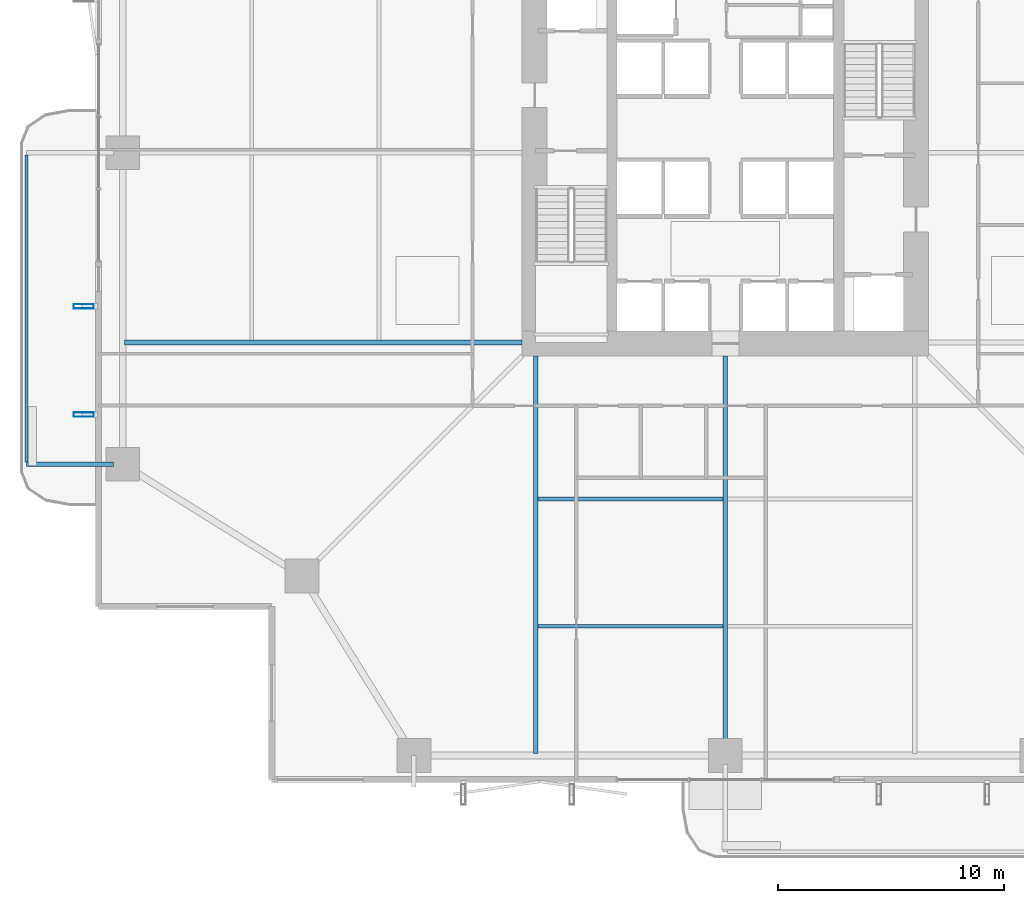
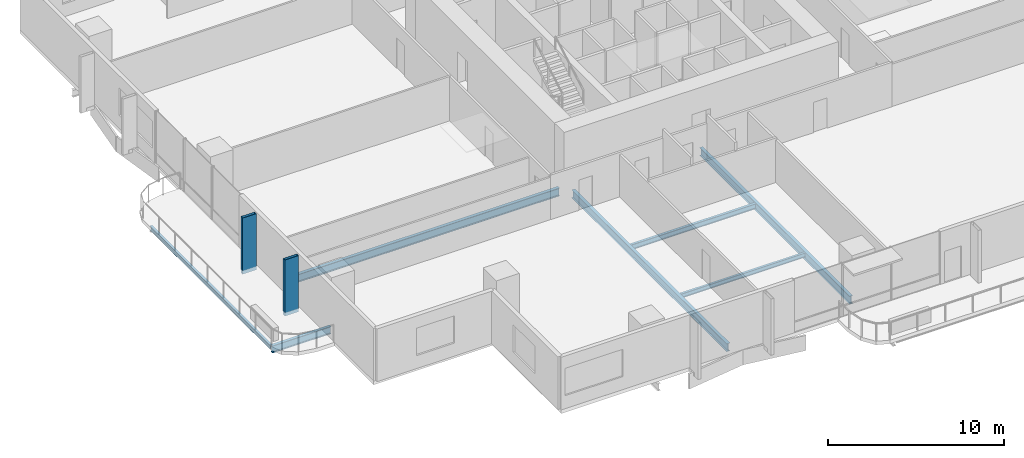
# One storey, part 3 of 24: 7 beams, 2 members.
"""IFC4 building model written with IfcOpenShell, lengths in metres."""

from ifc_helpers import new_model, si_unit, direction, frame, origin, origin_2d, place, context, subcontext, project, spatial, hollow_rectangle, i_section, extrude, material, material_profile, profile_set, type_object, element, save


model = new_model("IFC4")

# Units and contexts
model_context = context("Model", 3, precision=1e-05, world=origin(), true_north=direction((0.0, 1.0)))
body_context = subcontext(model_context, "Body", "Model", "MODEL_VIEW")
ifc_project = project(units=[si_unit("LENGTHUNIT", "METRE"), si_unit("AREAUNIT", "SQUARE_METRE"), si_unit("VOLUMEUNIT", "CUBIC_METRE"), si_unit("PLANEANGLEUNIT", "RADIAN"), si_unit("MASSUNIT", "GRAM", prefix="KILO")], contexts=[model_context])

# Site, building, storey
site_placement = place(None, origin())
site = spatial("IfcSite", under=ifc_project, at=site_placement, CompositionType="ELEMENT")
building_placement = place(site_placement, origin())
building = spatial("IfcBuilding", under=site, at=building_placement, Name="Belovzor Exchange Tower", CompositionType="ELEMENT")
storey_placement = place(building_placement, frame((0.0, 0.0, 92.39990234375)))
storey = spatial("IfcBuildingStorey", under=building, at=storey_placement, Name="L22", CompositionType="ELEMENT", Elevation=92.39990234375)

# Beams
ifc_material_1 = material(Name="Steel S355", Category="steel")
ifc_material_profile_1 = material_profile(ifc_material_1, i_section(OverallWidth=0.199951171875, OverallDepth=0.5, WebThickness=0.01025390625, FlangeThickness=0.01611328125, at=origin_2d()))
ifc_profile_set_1 = profile_set([ifc_material_profile_1], Name="Steel S355")
beam_type_1 = type_object("IfcBeamType", Name="Planted Balcony Cantilever Beam IPE 500", PredefinedType="BEAM", material=ifc_profile_set_1)
beam_1_placement = place(storey_placement, frame((1.68798828125, 15.0, -0.5), z_axis=(-1.0, 0.0, 0.0), x_axis=(0.0, -1.0, 0.0)))
element("IfcBeam", 1, at=beam_1_placement, inside=storey, type_object=beam_type_1, Name="BC-500 Planted Balcony Cantilever Beam IPE 500", PredefinedType="BEAM", context=body_context, shape_type="SweptSolid", body=[
    extrude(i_section(OverallWidth=0.199951171875, OverallDepth=0.5, WebThickness=0.01025390625, FlangeThickness=0.01611328125, at=origin_2d()), origin(), (0.0, 0.0, 1.0), 3.85009765625),
])
ifc_material_2 = material(Name="Steel S355", Category="steel")
ifc_material_profile_2 = material_profile(ifc_material_2, i_section(OverallWidth=0.14990234375, OverallDepth=0.300048828125, WebThickness=0.007080078125, FlangeThickness=0.0107421875, at=origin_2d()))
ifc_profile_set_2 = profile_set([ifc_material_profile_2], Name="Steel S355")
beam_type_2 = type_object("IfcBeamType", Name="Planted Balcony Fascia Edge Beam IPE 300", PredefinedType="BEAM", material=ifc_profile_set_2)
beam_2_placement = place(storey_placement, frame((-2.162109375, 28.699951171875, -0.39990234375), z_axis=(0.0, -1.0, 0.0), x_axis=(1.0, 0.0, 0.0)))
element("IfcBeam", 2, at=beam_2_placement, inside=storey, type_object=beam_type_2, Name="BC-300 Planted Balcony Fascia Edge Beam IPE 300", PredefinedType="BEAM", context=body_context, shape_type="SweptSolid", body=[
    extrude(i_section(OverallWidth=0.14990234375, OverallDepth=0.300048828125, WebThickness=0.007080078125, FlangeThickness=0.0107421875, at=origin_2d()), origin(), (0.0, 0.0, 1.0), 13.599853515625),
])
ifc_material_3 = material(Name="Steel S355", Category="steel")
ifc_material_profile_3 = material_profile(ifc_material_3, i_section(OverallWidth=0.169921875, OverallDepth=0.360107421875, WebThickness=0.008056640625, FlangeThickness=0.0126953125, at=origin_2d()))
ifc_profile_set_3 = profile_set([ifc_material_profile_3], Name="Steel S355")
beam_type_3 = type_object("IfcBeamType", Name="Secondary Infill Floor Joist IPE 360", PredefinedType="BEAM", material=ifc_profile_set_3)
beam_3_placement = place(storey_placement, frame((20.5048828125, 13.455078125, -0.429931640625), z_axis=(1.0, 0.0, 0.0), x_axis=(0.0, 1.0, 0.0)))
element("IfcBeam", 3, at=beam_3_placement, inside=storey, type_object=beam_type_3, Name="FJ-360 Secondary Infill Floor Joist IPE 360", PredefinedType="BEAM", context=body_context, shape_type="SweptSolid", body=[
    extrude(i_section(OverallWidth=0.169921875, OverallDepth=0.360107421875, WebThickness=0.008056640625, FlangeThickness=0.0126953125, at=origin_2d()), origin(), (0.0, 0.0, 1.0), 8.190185546875),
])
ifc_material_4 = material(Name="Steel S355", Category="steel")
ifc_material_profile_4 = material_profile(ifc_material_4, i_section(OverallWidth=0.14990234375, OverallDepth=0.300048828125, WebThickness=0.007080078125, FlangeThickness=0.0107421875, at=origin_2d()))
ifc_profile_set_4 = profile_set([ifc_material_profile_4], Name="Steel S355")
beam_type_4 = type_object("IfcBeamType", Name="Secondary Trim Floor Joist IPE 300", PredefinedType="BEAM", material=ifc_profile_set_4)
beam_4_placement = place(storey_placement, frame((20.5048828125, 7.81494140625, -0.39990234375), z_axis=(1.0, 0.0, 0.0), x_axis=(0.0, 1.0, 0.0)))
element("IfcBeam", 4, at=beam_4_placement, inside=storey, type_object=beam_type_4, Name="FJ-300 Secondary Trim Floor Joist IPE 300", PredefinedType="BEAM", context=body_context, shape_type="SweptSolid", body=[
    extrude(i_section(OverallWidth=0.14990234375, OverallDepth=0.300048828125, WebThickness=0.007080078125, FlangeThickness=0.0107421875, at=origin_2d()), origin(), (0.0, 0.0, 1.0), 8.190185546875),
])

# Members
ifc_material_5 = material(Name="Extruded Architectural Terracotta on Steel S355 Carrier", Category="masonry")
ifc_material_profile_5 = material_profile(ifc_material_5, hollow_rectangle(XDim=0.199951171875, YDim=0.89990234375, WallThickness=0.011962890625, at=origin_2d()))
ifc_profile_set_5 = profile_set([ifc_material_profile_5], Name="Extruded Architectural Terracotta on Steel S355 Carrier")
member_type = type_object("IfcMemberType", Name="Sweeping Terracotta Baguette Fin Assembly 1250", PredefinedType="USERDEFINED", material=ifc_profile_set_5)
for number, where, z_axis, x_axis, name in (
    (5, (0.375, 17.199951171875, -0.25), (0.0, 0.0, 1.0), (0.0, 1.0, 0.0), "FIN-TC125 Terracotta Facade Fin L22 W1"),
    (6, (0.375, 22.0, -0.25), (0.0, 0.0, 1.0), (0.0, 1.0, 0.0), "FIN-TC125 Terracotta Facade Fin L22 W2"),
):
    element("IfcMember", number, at=place(storey_placement, frame(where, z_axis=z_axis, x_axis=x_axis)), inside=storey, type_object=member_type, Name=name, ObjectType="FIN", PredefinedType="USERDEFINED", context=body_context, shape_type="SweptSolid", body=[
        extrude(hollow_rectangle(XDim=0.199951171875, YDim=0.89990234375, WallThickness=0.011962890625, at=origin_2d()), origin(), (0.0, 0.0, 1.0), 3.900146484375),
    ])

# Beams
ifc_material_6 = material(Name="Steel S355", Category="steel")
ifc_material_profile_6 = material_profile(ifc_material_6, i_section(OverallWidth=0.2099609375, OverallDepth=0.550048828125, WebThickness=0.010986328125, FlangeThickness=0.01708984375, at=origin_2d()))
ifc_profile_set_6 = profile_set([ifc_material_profile_6], Name="Steel S355")
beam_type_5 = type_object("IfcBeamType", Name="Zone 1 Radial Composite Floor Beam IPE 550", PredefinedType="BEAM", material=ifc_profile_set_6)
beam_5_placement = place(storey_placement, frame((20.39990234375, 19.800048828125, -0.52490234375), z_axis=(0.0, -1.0, 0.0), x_axis=(1.0, 0.0, 0.0)))
element("IfcBeam", 7, at=beam_5_placement, inside=storey, type_object=beam_type_5, Name="FB-550 Zone 1 Radial Composite Floor Beam IPE 550", PredefinedType="BEAM", context=body_context, shape_type="SweptSolid", body=[
    extrude(i_section(OverallWidth=0.2099609375, OverallDepth=0.550048828125, WebThickness=0.010986328125, FlangeThickness=0.01708984375, at=origin_2d()), origin(), (0.0, 0.0, 1.0), 17.625),
])
beam_6_placement = place(storey_placement, frame((28.800048828125, 19.800048828125, -0.52490234375), z_axis=(0.0, -1.0, 0.0), x_axis=(1.0, 0.0, 0.0)))
element("IfcBeam", 8, at=beam_6_placement, inside=storey, type_object=beam_type_5, Name="FB-550 Zone 1 Radial Composite Floor Beam IPE 550", PredefinedType="BEAM", context=body_context, shape_type="SweptSolid", body=[
    extrude(i_section(OverallWidth=0.2099609375, OverallDepth=0.550048828125, WebThickness=0.010986328125, FlangeThickness=0.01708984375, at=origin_2d()), origin(), (0.0, 0.0, 1.0), 17.0400390625),
])
beam_7_placement = place(storey_placement, frame((19.800048828125, 20.39990234375, -0.52490234375), z_axis=(-1.0, 0.0, 0.0), x_axis=(0.0, -1.0, 0.0)))
element("IfcBeam", 9, at=beam_7_placement, inside=storey, type_object=beam_type_5, Name="FB-550 Zone 1 Radial Composite Floor Beam IPE 550", PredefinedType="BEAM", context=body_context, shape_type="SweptSolid", body=[
    extrude(i_section(OverallWidth=0.2099609375, OverallDepth=0.550048828125, WebThickness=0.010986328125, FlangeThickness=0.01708984375, at=origin_2d()), origin(), (0.0, 0.0, 1.0), 17.625),
])

save(model, "model.ifc")
